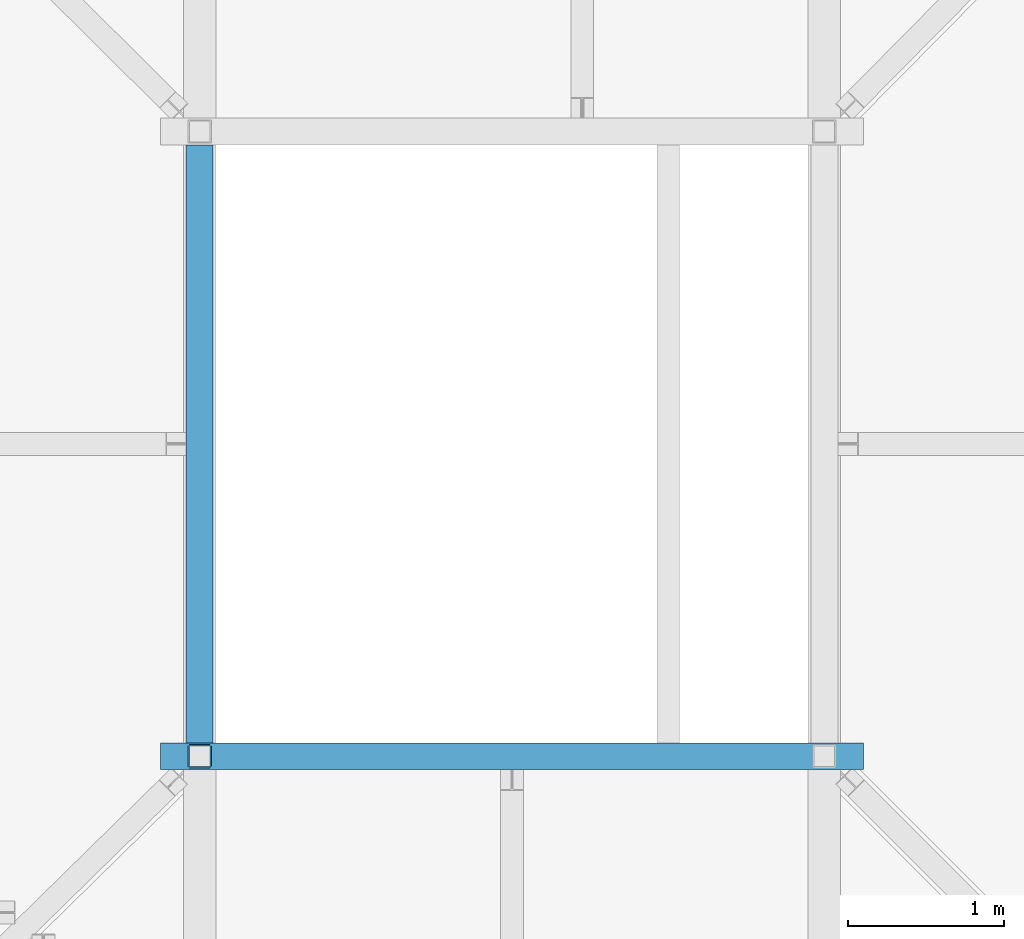
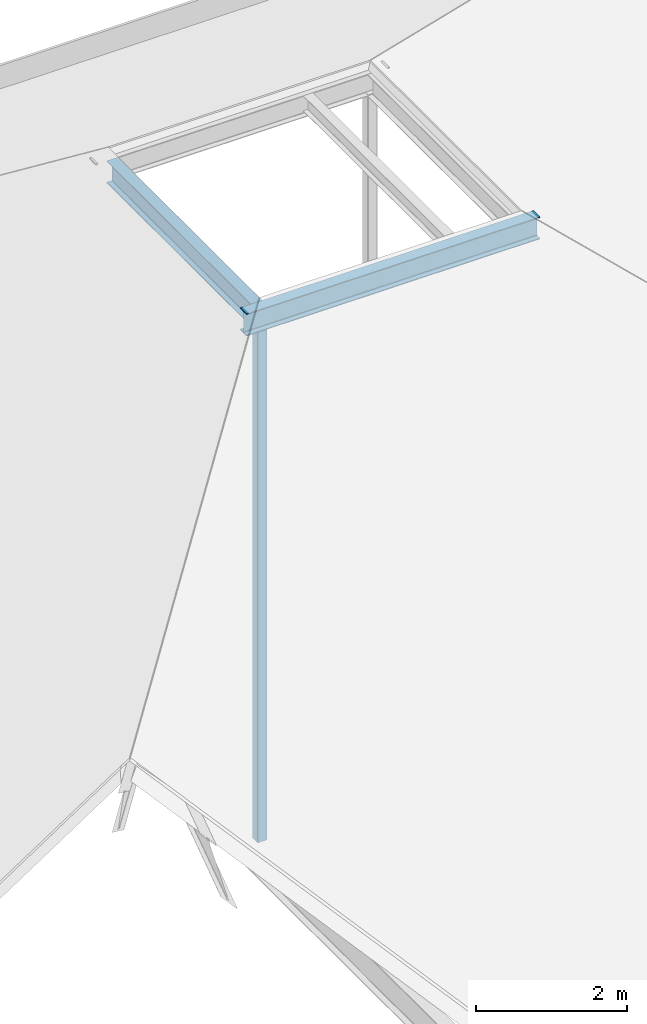
# One storey, part 17 of 118: 2 beams, 1 member.
"""IFC4 building model written with IfcOpenShell, lengths in metres."""

from ifc_helpers import new_model, si_unit, direction, frame, origin, origin_2d, place, context, subcontext, project, spatial, hollow_rectangle, i_section, extrude, material, material_profile, profile_set, type_object, element, save


model = new_model("IFC4")

# Units and contexts
model_context = context("Model", 3, precision=1e-05, world=origin(), true_north=direction((0.0, 1.0)))
body_context = subcontext(model_context, "Body", "Model", "MODEL_VIEW")
ifc_project = project(units=[si_unit("LENGTHUNIT", "METRE"), si_unit("AREAUNIT", "SQUARE_METRE"), si_unit("VOLUMEUNIT", "CUBIC_METRE"), si_unit("PLANEANGLEUNIT", "RADIAN"), si_unit("MASSUNIT", "GRAM", prefix="KILO")], contexts=[model_context])

# Site, building, storey
site_placement = place(None, origin())
site = spatial("IfcSite", under=ifc_project, at=site_placement, CompositionType="ELEMENT")
building_placement = place(site_placement, origin())
building = spatial("IfcBuilding", under=site, at=building_placement, Name="Saffron Lane Theatres", CompositionType="ELEMENT")
storey_placement = place(building_placement, frame((0.0, 0.0, 16.5)))
storey = spatial("IfcBuildingStorey", under=building, at=storey_placement, Name="L03", CompositionType="ELEMENT", Elevation=16.5)

# Beams
ifc_material_1 = material(Name="Steel Grade 350", Category="steel")
ifc_material_profile_1 = material_profile(ifc_material_1, i_section(OverallWidth=0.172119140625, OverallDepth=0.35888671875, WebThickness=0.008056640625, FlangeThickness=0.012939453125, FilletRadius=0.010986328125, at=origin_2d()))
ifc_profile_set_1 = profile_set([ifc_material_profile_1], Name="Steel Grade 350")
beam_type = type_object("IfcBeamType", Name="ST-CROWN BEAM 360UB56.7", PredefinedType="BEAM", material=ifc_profile_set_1)
beam_1_placement = place(storey_placement, frame((48.75, 13.0, 9.695556640625), z_axis=(1.0, 0.0, 0.0), x_axis=(0.0, 1.0, 0.0)))
element("IfcBeam", 1, at=beam_1_placement, inside=storey, type_object=beam_type, Name="SC1", PredefinedType="BEAM", context=body_context, shape_type="SweptSolid", body=[
    extrude(i_section(OverallWidth=0.172119140625, OverallDepth=0.35888671875, WebThickness=0.008056640625, FlangeThickness=0.012939453125, FilletRadius=0.010986328125, at=origin_2d()), origin(), (0.0, 0.0, 1.0), 4.5),
])
beam_2_placement = place(storey_placement, frame((49.0, 13.0859375, 9.695556640625), z_axis=(0.0, 1.0, 0.0), x_axis=(-1.0, 0.0, 0.0)))
element("IfcBeam", 2, at=beam_2_placement, inside=storey, type_object=beam_type, Name="SC3", PredefinedType="BEAM", context=body_context, shape_type="SweptSolid", body=[
    extrude(i_section(OverallWidth=0.172119140625, OverallDepth=0.35888671875, WebThickness=0.008056640625, FlangeThickness=0.012939453125, FilletRadius=0.010986328125, at=origin_2d()), origin(), (0.0, 0.0, 1.0), 3.828125),
])

# Member
ifc_material_2 = material(Name="Steel Grade 350", Category="steel")
ifc_material_profile_2 = material_profile(ifc_material_2, hollow_rectangle(XDim=0.14990234375, YDim=0.14990234375, WallThickness=0.009033203125, InnerFilletRadius=0.00439453125, OuterFilletRadius=0.013427734375, at=origin_2d()))
ifc_profile_set_2 = profile_set([ifc_material_profile_2], Name="Steel Grade 350")
member_type = type_object("IfcMemberType", Name="ST-CROWN POST 150x150x9 SHS", PredefinedType="POST", material=ifc_profile_set_2)
member_placement = place(storey_placement, frame((49.0, 13.0, 1.23291015625), z_axis=(0.0, 0.0, 1.0), x_axis=(1.0, 0.0, 0.0)))
element("IfcMember", 3, at=member_placement, inside=storey, type_object=member_type, Name="SP1-13", PredefinedType="POST", context=body_context, shape_type="SweptSolid", body=[
    extrude(hollow_rectangle(XDim=0.14990234375, YDim=0.14990234375, WallThickness=0.009033203125, InnerFilletRadius=0.00439453125, OuterFilletRadius=0.013427734375, at=origin_2d()), origin(), (0.0, 0.0, 1.0), 8.2880859375),
])

save(model, "model.ifc")
